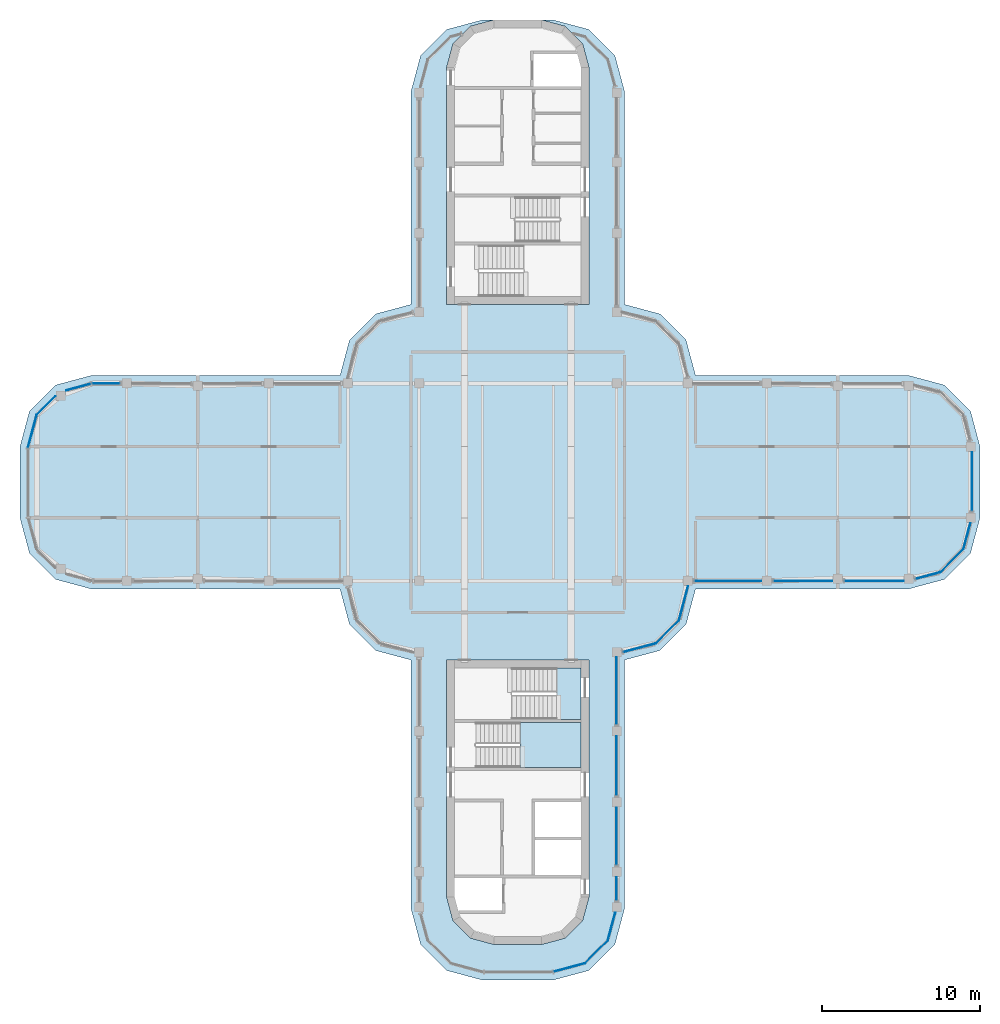
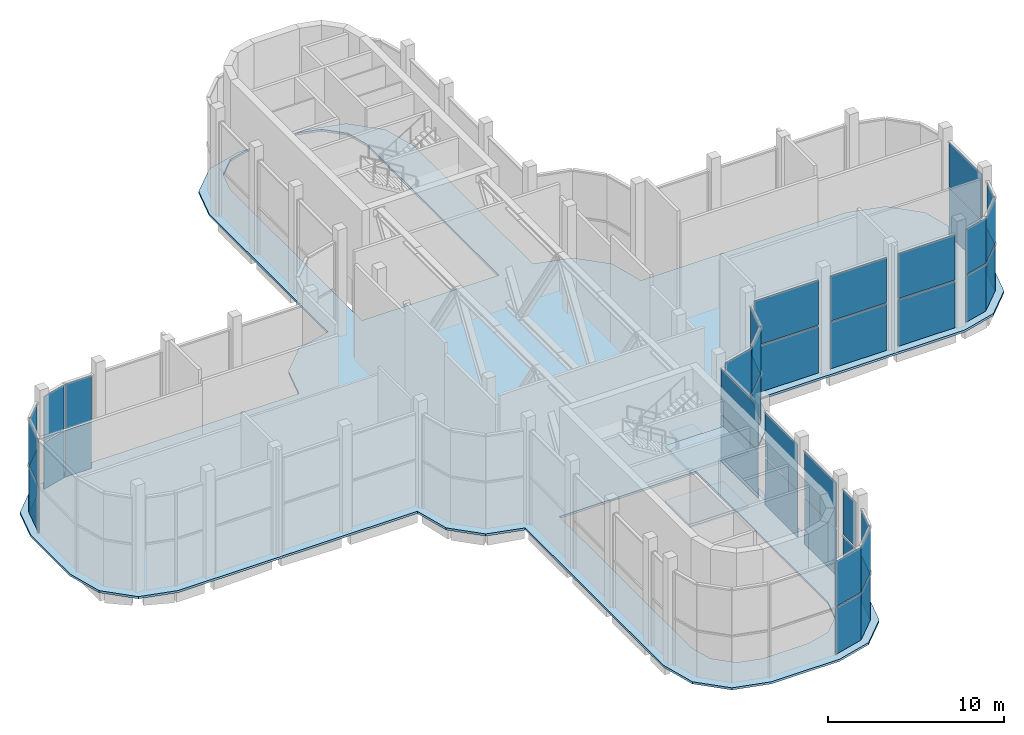
# One storey, part 8 of 15: 42 plates, 4 slabs, 18 elements without a shape of their own.
"""IFC4 building model written with IfcOpenShell, lengths in metres."""

from ifc_helpers import new_model, si_unit, direction, frame, origin, place, context, subcontext, project, spatial, polyline, outline, extrude, source, transform, mapped, material, layer, layer_set, type_object, element, aggregate, save


model = new_model("IFC4")

# Units and contexts
model_context = context("Model", 3, precision=1e-05, world=origin(), true_north=direction((0.0, 1.0)))
body_context = subcontext(model_context, "Body", "Model", "MODEL_VIEW")
ifc_project = project(units=[si_unit("LENGTHUNIT", "METRE"), si_unit("AREAUNIT", "SQUARE_METRE"), si_unit("VOLUMEUNIT", "CUBIC_METRE"), si_unit("PLANEANGLEUNIT", "RADIAN"), si_unit("MASSUNIT", "GRAM", prefix="KILO")], contexts=[model_context])

# Site, building, storey
site_placement = place(None, origin())
site = spatial("IfcSite", under=ifc_project, at=site_placement, CompositionType="ELEMENT")
building_placement = place(site_placement, origin())
building = spatial("IfcBuilding", under=site, at=building_placement, Name="Zarbagh Exchange Tower", CompositionType="ELEMENT")
storey_placement = place(building_placement, frame((0.0, 0.0, 284.0)))
storey = spatial("IfcBuildingStorey", under=building, at=storey_placement, Name="L70", CompositionType="ELEMENT", Elevation=284.0)

# Slab
ifc_material_1 = material(Name="Concrete C40/50", Category="concrete")
ifc_layer_1 = layer(ifc_material_1, 0.14990234375)
ifc_layer_set_1 = layer_set([ifc_layer_1], Name="Composite floor slab 150 C40/50")
slab_type_1 = type_object("IfcSlabType", Name="Composite floor slab 150 C40/50", PredefinedType="FLOOR", material=ifc_layer_set_1)
slab_1_placement = place(storey_placement, frame((0.0, 0.0, -0.14990234375)))
element("IfcSlab", 1, at=slab_1_placement, inside=storey, type_object=slab_type_1, Name="S5 composite floor slab", PredefinedType="FLOOR", context=body_context, shape_type="SweptSolid", body=[
    extrude(outline(polyline([(-2.25, -31.5), (-4.5, -30.897216796875), (-6.147216796875, -29.25), (-6.75, -27.0), (-6.75, -11.25), (-9.0, -10.647216796875), (-10.647216796875, -9.0), (-11.25, -6.75), (-27.0, -6.75), (-29.25, -6.147216796875), (-30.897216796875, -4.5), (-31.5, -2.25), (-31.5, 2.25), (-30.897216796875, 4.5), (-29.25, 6.147216796875), (-27.0, 6.75), (-11.25, 6.75), (-10.647216796875, 9.0), (-9.0, 10.647216796875), (-6.75, 11.25), (-6.75, 24.75), (-6.147216796875, 27.0), (-4.5, 28.647216796875), (-2.25, 29.25), (-1.5, 29.25), (-3.0, 28.84814453125), (-4.09814453125, 27.75), (-4.5, 26.25), (-4.5, 11.25), (4.5, 11.25), (4.5, 26.25), (4.09814453125, 27.75), (3.0, 28.84814453125), (1.5, 29.25), (2.25, 29.25), (4.5, 28.647216796875), (6.147216796875, 27.0), (6.75, 24.75), (6.75, 11.25), (9.0, 10.647216796875), (10.647216796875, 9.0), (11.25, 6.75), (24.75, 6.75), (27.0, 6.147216796875), (28.647216796875, 4.5), (29.25, 2.25), (29.25, -2.25), (28.647216796875, -4.5), (27.0, -6.147216796875), (24.75, -6.75), (11.25, -6.75), (10.647216796875, -9.0), (9.0, -10.647216796875), (6.75, -11.25), (6.75, -27.0), (6.147216796875, -29.25), (4.5, -30.897216796875), (2.25, -31.5), (-2.25, -31.5)]), holes=[polyline([(-1.5, -29.25), (1.5, -29.25), (3.0, -28.84814453125), (4.09814453125, -27.75), (4.5, -26.25), (4.5, -11.25), (-4.5, -11.25), (-4.5, -26.25), (-4.09814453125, -27.75), (-3.0, -28.84814453125), (-1.5, -29.25)])]), origin(), (0.0, 0.0, 1.0), 0.14990234375),
])

# Stair, slabs
stair_type = type_object("IfcStairType", Name="Exit stair two-flight half-turn", PredefinedType="HALF_TURN_STAIR", material=ifc_material_1)
stair_1_placement = place(storey_placement, origin())
stair_1 = element("IfcStair", 2, at=stair_1_placement, inside=storey, type_object=stair_type, Name="exit stair ST3", PredefinedType="HALF_TURN_STAIR")
ifc_layer_2 = layer(ifc_material_1, 0.199951171875)
ifc_layer_set_2 = layer_set([ifc_layer_2], Name="Stair landing 200 mm")
slab_type_2 = type_object("IfcSlabType", Name="Stair landing 200 mm", PredefinedType="LANDING", material=ifc_layer_set_2)
slab_2_placement = place(storey_placement, frame((0.0, 0.0, 1.699951171875)))
slab_2 = element("IfcSlab", 3, at=slab_2_placement, type_object=slab_type_2, Name="ST3 landing 1", PredefinedType="LANDING", context=body_context, shape_type="SweptSolid", body=[
    extrude(outline(polyline([(0.14990234375, -18.050048828125), (4.0, -18.050048828125), (4.0, -15.199951171875), (0.14990234375, -15.199951171875), (0.14990234375, -18.050048828125)])), origin(), (0.0, 0.0, 1.0), 0.199951171875),
])
slab_3_placement = place(storey_placement, frame((0.0, 0.0, 5.5)))
slab_3 = element("IfcSlab", 4, at=slab_3_placement, type_object=slab_type_2, Name="ST3 landing 3", PredefinedType="LANDING", context=body_context, shape_type="SweptSolid", body=[
    extrude(outline(polyline([(0.14990234375, -18.050048828125), (4.0, -18.050048828125), (4.0, -15.199951171875), (0.14990234375, -15.199951171875), (0.14990234375, -18.050048828125)])), origin(), (0.0, 0.0, 1.0), 0.199951171875),
])
aggregate(stair_1, [slab_2, slab_3])

# Stair, slab
stair_2_placement = place(storey_placement, origin())
stair_2 = element("IfcStair", 5, at=stair_2_placement, inside=storey, type_object=stair_type, Name="exit stair ST4", PredefinedType="HALF_TURN_STAIR")
slab_4_placement = place(storey_placement, frame((0.0, 0.0, 3.60009765625)))
slab_4 = element("IfcSlab", 6, at=slab_4_placement, type_object=slab_type_2, Name="ST4 landing 2", PredefinedType="LANDING", context=body_context, shape_type="SweptSolid", body=[
    extrude(outline(polyline([(4.0, -11.75), (2.449951171875, -11.75), (2.449951171875, -15.0), (4.0, -15.0), (4.0, -11.75)])), origin(), (0.0, 0.0, 1.0), 0.199951171875),
])
aggregate(stair_2, [slab_4])

# Curtain wall, plates
ifc_material_2 = material(Name="Anodised aluminium frame and glazing", Category="aluminium")
curtain_wall_type = type_object("IfcCurtainWallType", Name="CWE Damper-floor glazed wall", PredefinedType="NOTDEFINED", material=ifc_material_2)
curtain_wall_1_placement = place(storey_placement, origin())
curtain_wall_1 = element("IfcCurtainWall", 7, at=curtain_wall_1_placement, inside=storey, type_object=curtain_wall_type, Name="CWE01 curtain wall", PredefinedType="NOTDEFINED")
ifc_material_3 = material(Name="Low-e double glazed unit, 6+12+6 mm")
ifc_layer_3 = layer(ifc_material_3, 0.0400390625)
ifc_layer_set_3 = layer_set([ifc_layer_3], Name="PAE Glazing panel, Low-e double glazed unit, 6+12+6 mm")
plate_type = type_object("IfcPlateType", Name="PAE Glazing panel, Low-e double glazed unit, 6+12+6 mm", PredefinedType="CURTAIN_PANEL", material=ifc_layer_set_3)
shared_shape_1 = source(origin(), body_context, "Body", "SweptSolid", [
    extrude(outline(polyline([(0.0, -0.02001953125), (2.029541015625, -0.02001953125), (2.029541015625, 0.02001953125), (0.0, 0.02001953125), (0.0, -0.02001953125)])), origin(), (0.0, 0.0, 1.0), 3.22509765625),
])
placement = place(storey_placement, origin())
plate_1 = element("IfcPlate", 8, at=placement, type_object=plate_type, Name="CWE01 glazing panel 1.1", PredefinedType="CURTAIN_PANEL", context=body_context, shape_type="MappedRepresentation", body=[
    mapped(shared_shape_1, transform((2.28076171875, -30.97412109375, 0.0), x_axis=(0.965924289636, 0.258824779902, 0.0), y_axis=(-0.258824779902, 0.965924289636, 0.0), z_axis=(0.0, 0.0, 1.0))),
])
shared_shape_2 = source(origin(), body_context, "Body", "SweptSolid", [
    extrude(outline(polyline([(0.0, -0.02001953125), (2.029541015625, -0.02001953125), (2.029541015625, 0.02001953125), (0.0, 0.02001953125), (0.0, -0.02001953125)])), origin(), (0.0, 0.0, 1.0), 3.125),
])
plate_2 = element("IfcPlate", 9, at=placement, type_object=plate_type, Name="CWE01 glazing panel 1.1", PredefinedType="CURTAIN_PANEL", context=body_context, shape_type="MappedRepresentation", body=[
    mapped(shared_shape_2, transform((2.28076171875, -30.97412109375, 3.324951171875), x_axis=(0.965924289636, 0.258824779902, 0.0), y_axis=(-0.258824779902, 0.965924289636, 0.0), z_axis=(0.0, 0.0, 1.0))),
])
aggregate(curtain_wall_1, [plate_1, plate_2])

# Curtain wall, plate
curtain_wall_2_placement = place(storey_placement, origin())
curtain_wall_2 = element("IfcCurtainWall", 10, at=curtain_wall_2_placement, inside=storey, type_object=curtain_wall_type, Name="CWE02 curtain wall", PredefinedType="NOTDEFINED")
shared_shape_3 = source(origin(), body_context, "Body", "SweptSolid", [
    extrude(outline(polyline([(0.0, -0.02001953125), (2.061279296875, -0.02001953125), (2.061279296875, 0.02001953125), (0.0, 0.02001953125), (0.0, -0.02001953125)])), origin(), (0.0, 0.0, 1.0), 3.22509765625),
])
plate_3 = element("IfcPlate", 11, at=placement, type_object=plate_type, Name="CWE02 glazing panel 1.1", PredefinedType="CURTAIN_PANEL", context=body_context, shape_type="MappedRepresentation", body=[
    mapped(shared_shape_3, transform((4.2412109375, -30.44873046875, 0.0), x_axis=(0.707106781187, 0.707106781187, 0.0), y_axis=(-0.707106781187, 0.707106781187, 0.0), z_axis=(0.0, 0.0, 1.0))),
])

curtain_wall_3_placement = place(storey_placement, origin())
curtain_wall_3 = element("IfcCurtainWall", 12, at=curtain_wall_3_placement, inside=storey, type_object=curtain_wall_type, Name="CWE06 curtain wall", PredefinedType="NOTDEFINED")
plate_4 = element("IfcPlate", 13, at=placement, type_object=plate_type, Name="CWE06 glazing panel 1.1", PredefinedType="CURTAIN_PANEL", context=body_context, shape_type="MappedRepresentation", body=[
    mapped(shared_shape_3, transform((8.7412109375, -10.19873046875, 0.0), x_axis=(0.707106781187, 0.707106781187, 0.0), y_axis=(-0.707106781187, 0.707106781187, 0.0), z_axis=(0.0, 0.0, 1.0))),
])

curtain_wall_4_placement = place(storey_placement, origin())
curtain_wall_4 = element("IfcCurtainWall", 14, at=curtain_wall_4_placement, inside=storey, type_object=curtain_wall_type, Name="CWE10 curtain wall", PredefinedType="NOTDEFINED")
plate_5 = element("IfcPlate", 15, at=placement, type_object=plate_type, Name="CWE10 glazing panel 1.1", PredefinedType="CURTAIN_PANEL", context=body_context, shape_type="MappedRepresentation", body=[
    mapped(shared_shape_3, transform((26.7412109375, -5.69873046875, 0.0), x_axis=(0.707106781187, 0.707106781187, 0.0), y_axis=(-0.707106781187, 0.707106781187, 0.0), z_axis=(0.0, 0.0, 1.0))),
])

# Plate
shared_shape_4 = source(origin(), body_context, "Body", "SweptSolid", [
    extrude(outline(polyline([(0.0, -0.02001953125), (2.061279296875, -0.02001953125), (2.061279296875, 0.02001953125), (0.0, 0.02001953125), (0.0, -0.02001953125)])), origin(), (0.0, 0.0, 1.0), 3.125),
])
plate_6 = element("IfcPlate", 16, at=placement, type_object=plate_type, Name="CWE02 glazing panel 1.1", PredefinedType="CURTAIN_PANEL", context=body_context, shape_type="MappedRepresentation", body=[
    mapped(shared_shape_4, transform((4.2412109375, -30.44873046875, 3.324951171875), x_axis=(0.707106781187, 0.707106781187, 0.0), y_axis=(-0.707106781187, 0.707106781187, 0.0), z_axis=(0.0, 0.0, 1.0))),
])

aggregate(curtain_wall_2, [plate_3, plate_6])

plate_7 = element("IfcPlate", 17, at=placement, type_object=plate_type, Name="CWE06 glazing panel 1.1", PredefinedType="CURTAIN_PANEL", context=body_context, shape_type="MappedRepresentation", body=[
    mapped(shared_shape_4, transform((8.7412109375, -10.19873046875, 3.324951171875), x_axis=(0.707106781187, 0.707106781187, 0.0), y_axis=(-0.707106781187, 0.707106781187, 0.0), z_axis=(0.0, 0.0, 1.0))),
])

aggregate(curtain_wall_3, [plate_4, plate_7])

plate_8 = element("IfcPlate", 18, at=placement, type_object=plate_type, Name="CWE10 glazing panel 1.1", PredefinedType="CURTAIN_PANEL", context=body_context, shape_type="MappedRepresentation", body=[
    mapped(shared_shape_4, transform((26.7412109375, -5.69873046875, 3.324951171875), x_axis=(0.707106781187, 0.707106781187, 0.0), y_axis=(-0.707106781187, 0.707106781187, 0.0), z_axis=(0.0, 0.0, 1.0))),
])

aggregate(curtain_wall_4, [plate_5, plate_8])

# Curtain wall, plates
curtain_wall_5_placement = place(storey_placement, origin())
curtain_wall_5 = element("IfcCurtainWall", 19, at=curtain_wall_5_placement, inside=storey, type_object=curtain_wall_type, Name="CWE03 curtain wall", PredefinedType="NOTDEFINED")
shared_shape_5 = source(origin(), body_context, "Body", "SweptSolid", [
    extrude(outline(polyline([(0.0, -0.02001953125), (1.81298828125, -0.02001953125), (1.81298828125, 0.02001953125), (0.0, 0.02001953125), (0.0, -0.02001953125)])), origin(), (0.0, 0.0, 1.0), 3.22509765625),
])
plate_9 = element("IfcPlate", 20, at=placement, type_object=plate_type, Name="CWE03 glazing panel 1.1", PredefinedType="CURTAIN_PANEL", context=body_context, shape_type="MappedRepresentation", body=[
    mapped(shared_shape_5, transform((5.69873046875, -28.9912109375, 0.0), x_axis=(0.258824779902, 0.965924289636, 0.0), y_axis=(-0.965924289636, 0.258824779902, 0.0), z_axis=(0.0, 0.0, 1.0))),
])
shared_shape_6 = source(origin(), body_context, "Body", "SweptSolid", [
    extrude(outline(polyline([(0.0, -0.02001953125), (1.81298828125, -0.02001953125), (1.81298828125, 0.02001953125), (0.0, 0.02001953125), (0.0, -0.02001953125)])), origin(), (0.0, 0.0, 1.0), 3.125),
])
plate_10 = element("IfcPlate", 21, at=placement, type_object=plate_type, Name="CWE03 glazing panel 1.1", PredefinedType="CURTAIN_PANEL", context=body_context, shape_type="MappedRepresentation", body=[
    mapped(shared_shape_6, transform((5.69873046875, -28.9912109375, 3.324951171875), x_axis=(0.258824779902, 0.965924289636, 0.0), y_axis=(-0.965924289636, 0.258824779902, 0.0), z_axis=(0.0, 0.0, 1.0))),
])
aggregate(curtain_wall_5, [plate_9, plate_10])

curtain_wall_6_placement = place(storey_placement, origin())
curtain_wall_6 = element("IfcCurtainWall", 22, at=curtain_wall_6_placement, inside=storey, type_object=curtain_wall_type, Name="CWE04 curtain wall", PredefinedType="NOTDEFINED")
shared_shape_7 = source(origin(), body_context, "Body", "SweptSolid", [
    extrude(outline(polyline([(0.0, -0.02001953125), (1.469970703125, -0.02001953125), (1.469970703125, 0.02001953125), (0.0, 0.02001953125), (0.0, -0.02001953125)])), origin(), (0.0, 0.0, 1.0), 3.22509765625),
])
plate_11 = element("IfcPlate", 23, at=placement, type_object=plate_type, Name="CWE04 glazing panel 1.1", PredefinedType="CURTAIN_PANEL", context=body_context, shape_type="MappedRepresentation", body=[
    mapped(shared_shape_7, transform((6.25, -26.4599609375, 0.0), x_axis=(0.0, 1.0, 0.0), y_axis=(-1.0, 0.0, 0.0), z_axis=(0.0, 0.0, 1.0))),
])
shared_shape_8 = source(origin(), body_context, "Body", "SweptSolid", [
    extrude(outline(polyline([(0.0, -0.02001953125), (1.469970703125, -0.02001953125), (1.469970703125, 0.02001953125), (0.0, 0.02001953125), (0.0, -0.02001953125)])), origin(), (0.0, 0.0, 1.0), 3.125),
])
plate_12 = element("IfcPlate", 24, at=placement, type_object=plate_type, Name="CWE04 glazing panel 1.1", PredefinedType="CURTAIN_PANEL", context=body_context, shape_type="MappedRepresentation", body=[
    mapped(shared_shape_8, transform((6.25, -26.4599609375, 3.324951171875), x_axis=(0.0, 1.0, 0.0), y_axis=(-1.0, 0.0, 0.0), z_axis=(0.0, 0.0, 1.0))),
])
shared_shape_9 = source(origin(), body_context, "Body", "SweptSolid", [
    extrude(outline(polyline([(0.0, -0.02001953125), (3.6201171875, -0.02001953125), (3.6201171875, 0.02001953125), (0.0, 0.02001953125), (0.0, -0.02001953125)])), origin(), (0.0, 0.0, 1.0), 3.22509765625),
])
plate_13 = element("IfcPlate", 25, at=placement, type_object=plate_type, Name="CWE04 glazing panel 2.1", PredefinedType="CURTAIN_PANEL", context=body_context, shape_type="MappedRepresentation", body=[
    mapped(shared_shape_9, transform((6.25, -24.2099609375, 0.0), x_axis=(0.0, 1.0, 0.0), y_axis=(-1.0, 0.0, 0.0), z_axis=(0.0, 0.0, 1.0))),
])
shared_shape_10 = source(origin(), body_context, "Body", "SweptSolid", [
    extrude(outline(polyline([(0.0, -0.02001953125), (3.6201171875, -0.02001953125), (3.6201171875, 0.02001953125), (0.0, 0.02001953125), (0.0, -0.02001953125)])), origin(), (0.0, 0.0, 1.0), 3.125),
])
plate_14 = element("IfcPlate", 26, at=placement, type_object=plate_type, Name="CWE04 glazing panel 2.1", PredefinedType="CURTAIN_PANEL", context=body_context, shape_type="MappedRepresentation", body=[
    mapped(shared_shape_10, transform((6.25, -24.2099609375, 3.324951171875), x_axis=(0.0, 1.0, 0.0), y_axis=(-1.0, 0.0, 0.0), z_axis=(0.0, 0.0, 1.0))),
])
shared_shape_11 = source(origin(), body_context, "Body", "SweptSolid", [
    extrude(outline(polyline([(0.0, -0.02001953125), (3.719970703125, -0.02001953125), (3.719970703125, 0.02001953125), (0.0, 0.02001953125), (0.0, -0.02001953125)])), origin(), (0.0, 0.0, 1.0), 3.22509765625),
])
plate_15 = element("IfcPlate", 27, at=placement, type_object=plate_type, Name="CWE04 glazing panel 3.1", PredefinedType="CURTAIN_PANEL", context=body_context, shape_type="MappedRepresentation", body=[
    mapped(shared_shape_11, transform((6.25, -19.81005859375, 0.0), x_axis=(0.0, 1.0, 0.0), y_axis=(-1.0, 0.0, 0.0), z_axis=(0.0, 0.0, 1.0))),
])

curtain_wall_7_placement = place(storey_placement, origin())
curtain_wall_7 = element("IfcCurtainWall", 28, at=curtain_wall_7_placement, inside=storey, type_object=curtain_wall_type, Name="CWE08 curtain wall", PredefinedType="NOTDEFINED")
plate_16 = element("IfcPlate", 29, at=placement, type_object=plate_type, Name="CWE08 glazing panel 2.1", PredefinedType="CURTAIN_PANEL", context=body_context, shape_type="MappedRepresentation", body=[
    mapped(shared_shape_11, transform((16.18994140625, -6.25, 0.0), x_axis=(1.0, 0.0, 0.0), y_axis=(0.0, 1.0, 0.0), z_axis=(0.0, 0.0, 1.0))),
])
plate_17 = element("IfcPlate", 30, at=placement, type_object=plate_type, Name="CWE08 glazing panel 3.1", PredefinedType="CURTAIN_PANEL", context=body_context, shape_type="MappedRepresentation", body=[
    mapped(shared_shape_11, transform((20.68994140625, -6.25, 0.0), x_axis=(1.0, 0.0, 0.0), y_axis=(0.0, 1.0, 0.0), z_axis=(0.0, 0.0, 1.0))),
])

# Curtain wall, plate
curtain_wall_8_placement = place(storey_placement, origin())
curtain_wall_8 = element("IfcCurtainWall", 31, at=curtain_wall_8_placement, inside=storey, type_object=curtain_wall_type, Name="CWE12 curtain wall", PredefinedType="NOTDEFINED")
plate_18 = element("IfcPlate", 32, at=placement, type_object=plate_type, Name="CWE12 glazing panel 1.1", PredefinedType="CURTAIN_PANEL", context=body_context, shape_type="MappedRepresentation", body=[
    mapped(shared_shape_11, transform((28.75, -1.81005859375, 0.0), x_axis=(0.0, 1.0, 0.0), y_axis=(-1.0, 0.0, 0.0), z_axis=(0.0, 0.0, 1.0))),
])

# Plate
shared_shape_12 = source(origin(), body_context, "Body", "SweptSolid", [
    extrude(outline(polyline([(0.0, -0.02001953125), (3.719970703125, -0.02001953125), (3.719970703125, 0.02001953125), (0.0, 0.02001953125), (0.0, -0.02001953125)])), origin(), (0.0, 0.0, 1.0), 3.125),
])
plate_19 = element("IfcPlate", 33, at=placement, type_object=plate_type, Name="CWE04 glazing panel 3.1", PredefinedType="CURTAIN_PANEL", context=body_context, shape_type="MappedRepresentation", body=[
    mapped(shared_shape_12, transform((6.25, -19.81005859375, 3.324951171875), x_axis=(0.0, 1.0, 0.0), y_axis=(-1.0, 0.0, 0.0), z_axis=(0.0, 0.0, 1.0))),
])

plate_20 = element("IfcPlate", 34, at=placement, type_object=plate_type, Name="CWE08 glazing panel 2.1", PredefinedType="CURTAIN_PANEL", context=body_context, shape_type="MappedRepresentation", body=[
    mapped(shared_shape_12, transform((16.18994140625, -6.25, 3.324951171875), x_axis=(1.0, 0.0, 0.0), y_axis=(0.0, 1.0, 0.0), z_axis=(0.0, 0.0, 1.0))),
])

plate_21 = element("IfcPlate", 35, at=placement, type_object=plate_type, Name="CWE08 glazing panel 3.1", PredefinedType="CURTAIN_PANEL", context=body_context, shape_type="MappedRepresentation", body=[
    mapped(shared_shape_12, transform((20.68994140625, -6.25, 3.324951171875), x_axis=(1.0, 0.0, 0.0), y_axis=(0.0, 1.0, 0.0), z_axis=(0.0, 0.0, 1.0))),
])

plate_22 = element("IfcPlate", 36, at=placement, type_object=plate_type, Name="CWE12 glazing panel 1.1", PredefinedType="CURTAIN_PANEL", context=body_context, shape_type="MappedRepresentation", body=[
    mapped(shared_shape_12, transform((28.75, -1.81005859375, 3.324951171875), x_axis=(0.0, 1.0, 0.0), y_axis=(-1.0, 0.0, 0.0), z_axis=(0.0, 0.0, 1.0))),
])

aggregate(curtain_wall_8, [plate_18, plate_22])

shared_shape_13 = source(origin(), body_context, "Body", "SweptSolid", [
    extrude(outline(polyline([(0.0, -0.02001953125), (4.219970703125, -0.02001953125), (4.219970703125, 0.02001953125), (0.0, 0.02001953125), (0.0, -0.02001953125)])), origin(), (0.0, 0.0, 1.0), 3.22509765625),
])
plate_23 = element("IfcPlate", 37, at=placement, type_object=plate_type, Name="CWE04 glazing panel 4.1", PredefinedType="CURTAIN_PANEL", context=body_context, shape_type="MappedRepresentation", body=[
    mapped(shared_shape_13, transform((6.25, -15.31005859375, 0.0), x_axis=(0.0, 1.0, 0.0), y_axis=(-1.0, 0.0, 0.0), z_axis=(0.0, 0.0, 1.0))),
])

plate_24 = element("IfcPlate", 38, at=placement, type_object=plate_type, Name="CWE08 glazing panel 1.1", PredefinedType="CURTAIN_PANEL", context=body_context, shape_type="MappedRepresentation", body=[
    mapped(shared_shape_13, transform((11.18994140625, -6.25, 0.0), x_axis=(1.0, 0.0, 0.0), y_axis=(0.0, 1.0, 0.0), z_axis=(0.0, 0.0, 1.0))),
])

shared_shape_14 = source(origin(), body_context, "Body", "SweptSolid", [
    extrude(outline(polyline([(0.0, -0.02001953125), (4.219970703125, -0.02001953125), (4.219970703125, 0.02001953125), (0.0, 0.02001953125), (0.0, -0.02001953125)])), origin(), (0.0, 0.0, 1.0), 3.125),
])
plate_25 = element("IfcPlate", 39, at=placement, type_object=plate_type, Name="CWE04 glazing panel 4.1", PredefinedType="CURTAIN_PANEL", context=body_context, shape_type="MappedRepresentation", body=[
    mapped(shared_shape_14, transform((6.25, -15.31005859375, 3.324951171875), x_axis=(0.0, 1.0, 0.0), y_axis=(-1.0, 0.0, 0.0), z_axis=(0.0, 0.0, 1.0))),
])

aggregate(curtain_wall_6, [plate_11, plate_12, plate_13, plate_14, plate_15, plate_19, plate_23, plate_25])

plate_26 = element("IfcPlate", 40, at=placement, type_object=plate_type, Name="CWE08 glazing panel 1.1", PredefinedType="CURTAIN_PANEL", context=body_context, shape_type="MappedRepresentation", body=[
    mapped(shared_shape_14, transform((11.18994140625, -6.25, 3.324951171875), x_axis=(1.0, 0.0, 0.0), y_axis=(0.0, 1.0, 0.0), z_axis=(0.0, 0.0, 1.0))),
])

aggregate(curtain_wall_7, [plate_24, plate_26, plate_16, plate_20, plate_17, plate_21])

# Curtain wall, plates
curtain_wall_9_placement = place(storey_placement, origin())
curtain_wall_9 = element("IfcCurtainWall", 41, at=curtain_wall_9_placement, inside=storey, type_object=curtain_wall_type, Name="CWE05 curtain wall", PredefinedType="NOTDEFINED")
shared_shape_15 = source(origin(), body_context, "Body", "SweptSolid", [
    extrude(outline(polyline([(0.0, -0.02001953125), (2.127197265625, -0.02001953125), (2.127197265625, 0.02001953125), (0.0, 0.02001953125), (0.0, -0.02001953125)])), origin(), (0.0, 0.0, 1.0), 3.22509765625),
])
plate_27 = element("IfcPlate", 42, at=placement, type_object=plate_type, Name="CWE05 glazing panel 1.1", PredefinedType="CURTAIN_PANEL", context=body_context, shape_type="MappedRepresentation", body=[
    mapped(shared_shape_15, transform((6.6865234375, -10.749267578125, 0.0), x_axis=(0.965924289636, 0.258824779902, 0.0), y_axis=(-0.258824779902, 0.965924289636, 0.0), z_axis=(0.0, 0.0, 1.0))),
])
shared_shape_16 = source(origin(), body_context, "Body", "SweptSolid", [
    extrude(outline(polyline([(0.0, -0.02001953125), (2.127197265625, -0.02001953125), (2.127197265625, 0.02001953125), (0.0, 0.02001953125), (0.0, -0.02001953125)])), origin(), (0.0, 0.0, 1.0), 3.125),
])
plate_28 = element("IfcPlate", 43, at=placement, type_object=plate_type, Name="CWE05 glazing panel 1.1", PredefinedType="CURTAIN_PANEL", context=body_context, shape_type="MappedRepresentation", body=[
    mapped(shared_shape_16, transform((6.6865234375, -10.749267578125, 3.324951171875), x_axis=(0.965924289636, 0.258824779902, 0.0), y_axis=(-0.258824779902, 0.965924289636, 0.0), z_axis=(0.0, 0.0, 1.0))),
])
aggregate(curtain_wall_9, [plate_27, plate_28])

curtain_wall_10_placement = place(storey_placement, origin())
curtain_wall_10 = element("IfcCurtainWall", 44, at=curtain_wall_10_placement, inside=storey, type_object=curtain_wall_type, Name="CWE07 curtain wall", PredefinedType="NOTDEFINED")
shared_shape_17 = source(origin(), body_context, "Body", "SweptSolid", [
    extrude(outline(polyline([(0.0, -0.02001953125), (2.22705078125, -0.02001953125), (2.22705078125, 0.02001953125), (0.0, 0.02001953125), (0.0, -0.02001953125)])), origin(), (0.0, 0.0, 1.0), 3.22509765625),
])
plate_29 = element("IfcPlate", 45, at=placement, type_object=plate_type, Name="CWE07 glazing panel 1.1", PredefinedType="CURTAIN_PANEL", context=body_context, shape_type="MappedRepresentation", body=[
    mapped(shared_shape_17, transform((10.19873046875, -8.7412109375, 0.0), x_axis=(0.258824779902, 0.965924289636, 0.0), y_axis=(-0.965924289636, 0.258824779902, 0.0), z_axis=(0.0, 0.0, 1.0))),
])
shared_shape_18 = source(origin(), body_context, "Body", "SweptSolid", [
    extrude(outline(polyline([(0.0, -0.02001953125), (2.22705078125, -0.02001953125), (2.22705078125, 0.02001953125), (0.0, 0.02001953125), (0.0, -0.02001953125)])), origin(), (0.0, 0.0, 1.0), 3.125),
])
plate_30 = element("IfcPlate", 46, at=placement, type_object=plate_type, Name="CWE07 glazing panel 1.1", PredefinedType="CURTAIN_PANEL", context=body_context, shape_type="MappedRepresentation", body=[
    mapped(shared_shape_18, transform((10.19873046875, -8.7412109375, 3.324951171875), x_axis=(0.258824779902, 0.965924289636, 0.0), y_axis=(-0.965924289636, 0.258824779902, 0.0), z_axis=(0.0, 0.0, 1.0))),
])
aggregate(curtain_wall_10, [plate_29, plate_30])

curtain_wall_11_placement = place(storey_placement, origin())
curtain_wall_11 = element("IfcCurtainWall", 47, at=curtain_wall_11_placement, inside=storey, type_object=curtain_wall_type, Name="CWE09 curtain wall", PredefinedType="NOTDEFINED")
shared_shape_19 = source(origin(), body_context, "Body", "SweptSolid", [
    extrude(outline(polyline([(0.0, -0.02001953125), (1.609619140625, -0.02001953125), (1.609619140625, 0.02001953125), (0.0, 0.02001953125), (0.0, -0.02001953125)])), origin(), (0.0, 0.0, 1.0), 3.22509765625),
])
plate_31 = element("IfcPlate", 48, at=placement, type_object=plate_type, Name="CWE09 glazing panel 1.1", PredefinedType="CURTAIN_PANEL", context=body_context, shape_type="MappedRepresentation", body=[
    mapped(shared_shape_19, transform((25.1865234375, -6.115478515625, 0.0), x_axis=(0.965924289636, 0.258824779902, 0.0), y_axis=(-0.258824779902, 0.965924289636, 0.0), z_axis=(0.0, 0.0, 1.0))),
])
shared_shape_20 = source(origin(), body_context, "Body", "SweptSolid", [
    extrude(outline(polyline([(0.0, -0.02001953125), (1.609619140625, -0.02001953125), (1.609619140625, 0.02001953125), (0.0, 0.02001953125), (0.0, -0.02001953125)])), origin(), (0.0, 0.0, 1.0), 3.125),
])
plate_32 = element("IfcPlate", 49, at=placement, type_object=plate_type, Name="CWE09 glazing panel 1.1", PredefinedType="CURTAIN_PANEL", context=body_context, shape_type="MappedRepresentation", body=[
    mapped(shared_shape_20, transform((25.1865234375, -6.115478515625, 3.324951171875), x_axis=(0.965924289636, 0.258824779902, 0.0), y_axis=(-0.258824779902, 0.965924289636, 0.0), z_axis=(0.0, 0.0, 1.0))),
])
aggregate(curtain_wall_11, [plate_31, plate_32])

curtain_wall_12_placement = place(storey_placement, origin())
curtain_wall_12 = element("IfcCurtainWall", 50, at=curtain_wall_12_placement, inside=storey, type_object=curtain_wall_type, Name="CWE11 curtain wall", PredefinedType="NOTDEFINED")
shared_shape_21 = source(origin(), body_context, "Body", "SweptSolid", [
    extrude(outline(polyline([(0.0, -0.02001953125), (1.70947265625, -0.02001953125), (1.70947265625, 0.02001953125), (0.0, 0.02001953125), (0.0, -0.02001953125)])), origin(), (0.0, 0.0, 1.0), 3.22509765625),
])
plate_33 = element("IfcPlate", 51, at=placement, type_object=plate_type, Name="CWE11 glazing panel 1.1", PredefinedType="CURTAIN_PANEL", context=body_context, shape_type="MappedRepresentation", body=[
    mapped(shared_shape_21, transform((28.19873046875, -4.2412109375, 0.0), x_axis=(0.258824779902, 0.965924289636, 0.0), y_axis=(-0.965924289636, 0.258824779902, 0.0), z_axis=(0.0, 0.0, 1.0))),
])
shared_shape_22 = source(origin(), body_context, "Body", "SweptSolid", [
    extrude(outline(polyline([(0.0, -0.02001953125), (1.70947265625, -0.02001953125), (1.70947265625, 0.02001953125), (0.0, 0.02001953125), (0.0, -0.02001953125)])), origin(), (0.0, 0.0, 1.0), 3.125),
])
plate_34 = element("IfcPlate", 52, at=placement, type_object=plate_type, Name="CWE11 glazing panel 1.1", PredefinedType="CURTAIN_PANEL", context=body_context, shape_type="MappedRepresentation", body=[
    mapped(shared_shape_22, transform((28.19873046875, -4.2412109375, 3.324951171875), x_axis=(0.258824779902, 0.965924289636, 0.0), y_axis=(-0.965924289636, 0.258824779902, 0.0), z_axis=(0.0, 0.0, 1.0))),
])
aggregate(curtain_wall_12, [plate_33, plate_34])

curtain_wall_13_placement = place(storey_placement, origin())
curtain_wall_13 = element("IfcCurtainWall", 53, at=curtain_wall_13_placement, inside=storey, type_object=curtain_wall_type, Name="CWE31 curtain wall", PredefinedType="NOTDEFINED")
shared_shape_23 = source(origin(), body_context, "Body", "SweptSolid", [
    extrude(outline(polyline([(0.0, -0.02001953125), (1.744140625, -0.02001953125), (1.744140625, 0.02001953125), (0.0, 0.02001953125), (0.0, -0.02001953125)])), origin(), (0.0, 0.0, 1.0), 3.22509765625),
])
plate_35 = element("IfcPlate", 54, at=placement, type_object=plate_type, Name="CWE31 glazing panel 4.1", PredefinedType="CURTAIN_PANEL", context=body_context, shape_type="MappedRepresentation", body=[
    mapped(shared_shape_23, transform((-25.18994140625, 6.25, 0.0), x_axis=(-1.0, 0.0, 0.0), y_axis=(0.0, -1.0, 0.0), z_axis=(0.0, 0.0, 1.0))),
])
shared_shape_24 = source(origin(), body_context, "Body", "SweptSolid", [
    extrude(outline(polyline([(0.0, -0.02001953125), (1.744140625, -0.02001953125), (1.744140625, 0.02001953125), (0.0, 0.02001953125), (0.0, -0.02001953125)])), origin(), (0.0, 0.0, 1.0), 3.125),
])
plate_36 = element("IfcPlate", 55, at=placement, type_object=plate_type, Name="CWE31 glazing panel 4.1", PredefinedType="CURTAIN_PANEL", context=body_context, shape_type="MappedRepresentation", body=[
    mapped(shared_shape_24, transform((-25.18994140625, 6.25, 3.324951171875), x_axis=(-1.0, 0.0, 0.0), y_axis=(0.0, -1.0, 0.0), z_axis=(0.0, 0.0, 1.0))),
])
aggregate(curtain_wall_13, [plate_35, plate_36])

curtain_wall_14_placement = place(storey_placement, origin())
curtain_wall_14 = element("IfcCurtainWall", 56, at=curtain_wall_14_placement, inside=storey, type_object=curtain_wall_type, Name="CWE32 curtain wall", PredefinedType="NOTDEFINED")
shared_shape_25 = source(origin(), body_context, "Body", "SweptSolid", [
    extrude(outline(polyline([(0.0, -0.02001953125), (1.591552734375, -0.02001953125), (1.591552734375, 0.02001953125), (0.0, 0.02001953125), (0.0, -0.02001953125)])), origin(), (0.0, 0.0, 1.0), 3.22509765625),
])
plate_37 = element("IfcPlate", 57, at=placement, type_object=plate_type, Name="CWE32 glazing panel 1.1", PredefinedType="CURTAIN_PANEL", context=body_context, shape_type="MappedRepresentation", body=[
    mapped(shared_shape_25, transform((-27.03076171875, 6.22412109375, 0.0), x_axis=(-0.965924289636, -0.258824779902, 0.0), y_axis=(0.258824779902, -0.965924289636, 0.0), z_axis=(0.0, 0.0, 1.0))),
])
shared_shape_26 = source(origin(), body_context, "Body", "SweptSolid", [
    extrude(outline(polyline([(0.0, -0.02001953125), (1.591552734375, -0.02001953125), (1.591552734375, 0.02001953125), (0.0, 0.02001953125), (0.0, -0.02001953125)])), origin(), (0.0, 0.0, 1.0), 3.125),
])
plate_38 = element("IfcPlate", 58, at=placement, type_object=plate_type, Name="CWE32 glazing panel 1.1", PredefinedType="CURTAIN_PANEL", context=body_context, shape_type="MappedRepresentation", body=[
    mapped(shared_shape_26, transform((-27.03076171875, 6.22412109375, 3.324951171875), x_axis=(-0.965924289636, -0.258824779902, 0.0), y_axis=(0.258824779902, -0.965924289636, 0.0), z_axis=(0.0, 0.0, 1.0))),
])
aggregate(curtain_wall_14, [plate_37, plate_38])

curtain_wall_15_placement = place(storey_placement, origin())
curtain_wall_15 = element("IfcCurtainWall", 59, at=curtain_wall_15_placement, inside=storey, type_object=curtain_wall_type, Name="CWE33 curtain wall", PredefinedType="NOTDEFINED")
shared_shape_27 = source(origin(), body_context, "Body", "SweptSolid", [
    extrude(outline(polyline([(0.0, -0.02001953125), (1.6982421875, -0.02001953125), (1.6982421875, 0.02001953125), (0.0, 0.02001953125), (0.0, -0.02001953125)])), origin(), (0.0, 0.0, 1.0), 3.22509765625),
])
plate_39 = element("IfcPlate", 60, at=placement, type_object=plate_type, Name="CWE33 glazing panel 1.1", PredefinedType="CURTAIN_PANEL", context=body_context, shape_type="MappedRepresentation", body=[
    mapped(shared_shape_27, transform((-29.248046875, 5.44189453125, 0.0), x_axis=(-0.707106781187, -0.707106781187, 0.0), y_axis=(0.707106781187, -0.707106781187, 0.0), z_axis=(0.0, 0.0, 1.0))),
])
shared_shape_28 = source(origin(), body_context, "Body", "SweptSolid", [
    extrude(outline(polyline([(0.0, -0.02001953125), (1.6982421875, -0.02001953125), (1.6982421875, 0.02001953125), (0.0, 0.02001953125), (0.0, -0.02001953125)])), origin(), (0.0, 0.0, 1.0), 3.125),
])
plate_40 = element("IfcPlate", 61, at=placement, type_object=plate_type, Name="CWE33 glazing panel 1.1", PredefinedType="CURTAIN_PANEL", context=body_context, shape_type="MappedRepresentation", body=[
    mapped(shared_shape_28, transform((-29.248046875, 5.44189453125, 3.324951171875), x_axis=(-0.707106781187, -0.707106781187, 0.0), y_axis=(0.707106781187, -0.707106781187, 0.0), z_axis=(0.0, 0.0, 1.0))),
])
aggregate(curtain_wall_15, [plate_39, plate_40])

curtain_wall_16_placement = place(storey_placement, origin())
curtain_wall_16 = element("IfcCurtainWall", 62, at=curtain_wall_16_placement, inside=storey, type_object=curtain_wall_type, Name="CWE34 curtain wall", PredefinedType="NOTDEFINED")
shared_shape_29 = source(origin(), body_context, "Body", "SweptSolid", [
    extrude(outline(polyline([(0.0, -0.02001953125), (2.129638671875, -0.02001953125), (2.129638671875, 0.02001953125), (0.0, 0.02001953125), (0.0, -0.02001953125)])), origin(), (0.0, 0.0, 1.0), 3.22509765625),
])
plate_41 = element("IfcPlate", 63, at=placement, type_object=plate_type, Name="CWE34 glazing panel 1.1", PredefinedType="CURTAIN_PANEL", context=body_context, shape_type="MappedRepresentation", body=[
    mapped(shared_shape_29, transform((-30.44873046875, 4.2412109375, 0.0), x_axis=(-0.258824779902, -0.965924289636, 0.0), y_axis=(0.965924289636, -0.258824779902, 0.0), z_axis=(0.0, 0.0, 1.0))),
])
shared_shape_30 = source(origin(), body_context, "Body", "SweptSolid", [
    extrude(outline(polyline([(0.0, -0.02001953125), (2.129638671875, -0.02001953125), (2.129638671875, 0.02001953125), (0.0, 0.02001953125), (0.0, -0.02001953125)])), origin(), (0.0, 0.0, 1.0), 3.125),
])
plate_42 = element("IfcPlate", 64, at=placement, type_object=plate_type, Name="CWE34 glazing panel 1.1", PredefinedType="CURTAIN_PANEL", context=body_context, shape_type="MappedRepresentation", body=[
    mapped(shared_shape_30, transform((-30.44873046875, 4.2412109375, 3.324951171875), x_axis=(-0.258824779902, -0.965924289636, 0.0), y_axis=(0.965924289636, -0.258824779902, 0.0), z_axis=(0.0, 0.0, 1.0))),
])
aggregate(curtain_wall_16, [plate_41, plate_42])

save(model, "model.ifc")
